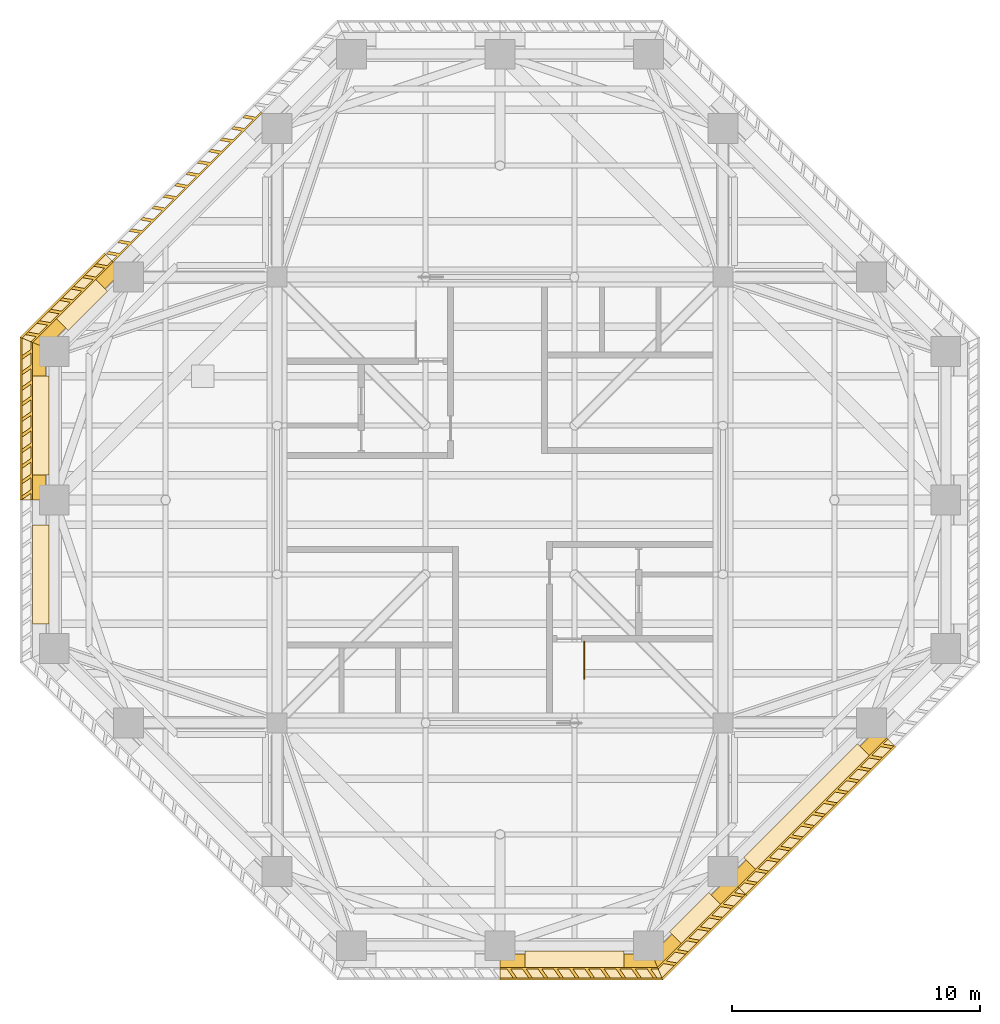
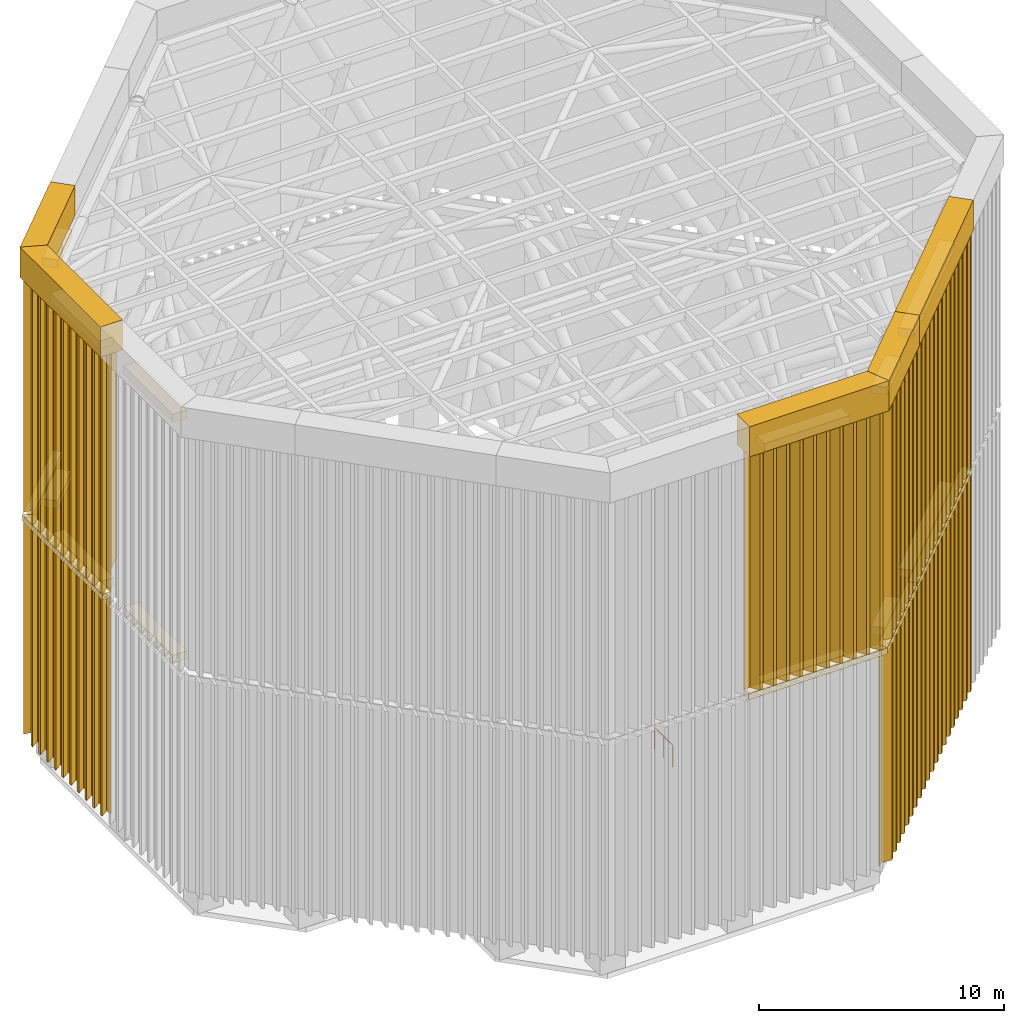
# One storey, part 6 of 8: 32 coverings, 1 railing.
"""IFC4 building model written with IfcOpenShell, lengths in metres."""

from ifc_helpers import new_model, si_unit, direction, frame, origin, origin_2d, place, context, subcontext, project, spatial, polyline, circle, outline, extrude, material, layer, layer_set, constituent, constituent_set, type_object, element, save


model = new_model("IFC4")

# Units and contexts
model_context = context("Model", 3, precision=1e-05, world=origin(), true_north=direction((0.0, 1.0)))
body_context = subcontext(model_context, "Body", "Model", "MODEL_VIEW")
ifc_project = project(units=[si_unit("LENGTHUNIT", "METRE"), si_unit("AREAUNIT", "SQUARE_METRE"), si_unit("VOLUMEUNIT", "CUBIC_METRE"), si_unit("PLANEANGLEUNIT", "RADIAN"), si_unit("MASSUNIT", "GRAM", prefix="KILO")], contexts=[model_context])

# Site, building, storey
site_placement = place(None, origin())
site = spatial("IfcSite", under=ifc_project, at=site_placement, CompositionType="ELEMENT")
building_placement = place(site_placement, origin())
building = spatial("IfcBuilding", under=site, at=building_placement, Name="Torre Cruceta", CompositionType="ELEMENT")
storey_placement = place(building_placement, frame((0.0, 0.0, 293.300048828125)))
storey = spatial("IfcBuildingStorey", under=building, at=storey_placement, Name="RF", CompositionType="ELEMENT", Elevation=293.300048828125)

# Coverings
ifc_material_1 = material(Name="Glass-fibre reinforced concrete", Category="concrete")
ifc_constituent_1 = constituent(ifc_material_1, Name="Panel")
ifc_material_2 = material(Name="Steel S275", Category="steel")
ifc_constituent_2 = constituent(ifc_material_2, Name="Subframe")
ifc_material_3 = material(Name="Hot-dip galvanising", Category="zinc")
ifc_constituent_3 = constituent(ifc_material_3, Name="Subframe coating")
ifc_constituent_set_1 = constituent_set(constituents=[ifc_constituent_1, ifc_constituent_2, ifc_constituent_3], Name="GFRC panel on a galvanised steel subframe")
covering_type_1 = type_object("IfcCoveringType", Name="CROWN CAP FASCIA GFRC 1500", PredefinedType="CLADDING", material=ifc_constituent_set_1)
covering_1_placement = place(storey_placement, frame((0.0, 0.0, 24.0)))
element("IfcCovering", 1, at=covering_1_placement, inside=storey, type_object=covering_type_1, Name="Crown cap fascia FC1 05", PredefinedType="CLADDING", context=body_context, shape_type="SweptSolid", body=[
    extrude(outline(polyline([(0.0, -19.3798828125), (6.571533203125, -19.3798828125), (6.140869140625, -18.340087890625), (0.0, -18.340087890625), (0.0, -19.3798828125)])), origin(), (0.0, 0.0, 1.0), 1.5),
])
covering_2_placement = place(storey_placement, frame((0.0, 0.0, 24.0)))
element("IfcCovering", 2, at=covering_2_placement, inside=storey, type_object=covering_type_1, Name="Crown cap fascia FC1 06", PredefinedType="CLADDING", context=body_context, shape_type="SweptSolid", body=[
    extrude(outline(polyline([(6.571533203125, -19.3798828125), (9.975830078125, -15.975830078125), (9.240478515625, -15.240478515625), (6.140869140625, -18.340087890625), (6.571533203125, -19.3798828125)])), origin(), (0.0, 0.0, 1.0), 1.5),
])
covering_3_placement = place(storey_placement, frame((0.0, 0.0, 24.0)))
element("IfcCovering", 3, at=covering_3_placement, inside=storey, type_object=covering_type_1, Name="Crown cap fascia FC1 07", PredefinedType="CLADDING", context=body_context, shape_type="SweptSolid", body=[
    extrude(outline(polyline([(9.975830078125, -15.975830078125), (15.975830078125, -9.975830078125), (15.240478515625, -9.240478515625), (9.240478515625, -15.240478515625), (9.975830078125, -15.975830078125)])), origin(), (0.0, 0.0, 1.0), 1.5),
])
covering_4_placement = place(storey_placement, frame((0.0, 0.0, 24.0)))
element("IfcCovering", 4, at=covering_4_placement, inside=storey, type_object=covering_type_1, Name="Crown cap fascia FC1 18", PredefinedType="CLADDING", context=body_context, shape_type="SweptSolid", body=[
    extrude(outline(polyline([(-15.975830078125, 9.975830078125), (-19.3798828125, 6.571533203125), (-18.340087890625, 6.140869140625), (-15.240478515625, 9.240478515625), (-15.975830078125, 9.975830078125)])), origin(), (0.0, 0.0, 1.0), 1.5),
])
covering_5_placement = place(storey_placement, frame((0.0, 0.0, 24.0)))
element("IfcCovering", 5, at=covering_5_placement, inside=storey, type_object=covering_type_1, Name="Crown cap fascia FC1 19", PredefinedType="CLADDING", context=body_context, shape_type="SweptSolid", body=[
    extrude(outline(polyline([(-19.3798828125, 6.571533203125), (-19.3798828125, 0.0), (-18.340087890625, 0.0), (-18.340087890625, 6.140869140625), (-19.3798828125, 6.571533203125)])), origin(), (0.0, 0.0, 1.0), 1.5),
])
ifc_material_4 = material(Name="Glass-fibre reinforced concrete", Category="concrete")
ifc_constituent_4 = constituent(ifc_material_4, Name="Panel")
ifc_material_5 = material(Name="Steel S275", Category="steel")
ifc_constituent_5 = constituent(ifc_material_5, Name="Subframe")
ifc_material_6 = material(Name="Hot-dip galvanising", Category="zinc")
ifc_constituent_6 = constituent(ifc_material_6, Name="Subframe coating")
ifc_constituent_set_2 = constituent_set(constituents=[ifc_constituent_4, ifc_constituent_5, ifc_constituent_6], Name="GFRC panel on a galvanised steel subframe")
covering_type_2 = type_object("IfcCoveringType", Name="CROWN SCREEN JOINT BAND GFRC 300", PredefinedType="CLADDING", material=ifc_constituent_set_2)
covering_6_placement = place(storey_placement, frame((0.0, 0.0, 11.849853515625)))
element("IfcCovering", 6, at=covering_6_placement, inside=storey, type_object=covering_type_2, Name="Crown screen joint band SJ1 05", PredefinedType="CLADDING", context=body_context, shape_type="SweptSolid", body=[
    extrude(outline(polyline([(0.0, -19.298583984375), (6.537841796875, -19.298583984375), (6.3603515625, -18.8701171875), (0.0, -18.8701171875), (0.0, -19.298583984375)])), origin(), (0.0, 0.0, 1.0), 0.300048828125),
])
covering_7_placement = place(storey_placement, frame((0.0, 0.0, 11.849853515625)))
element("IfcCovering", 7, at=covering_7_placement, inside=storey, type_object=covering_type_2, Name="Crown screen joint band SJ1 06", PredefinedType="CLADDING", context=body_context, shape_type="SweptSolid", body=[
    extrude(outline(polyline([(6.537841796875, -19.298583984375), (9.918212890625, -15.918212890625), (9.615234375, -15.615234375), (6.3603515625, -18.8701171875), (6.537841796875, -19.298583984375)])), origin(), (0.0, 0.0, 1.0), 0.300048828125),
])
covering_8_placement = place(storey_placement, frame((0.0, 0.0, 11.849853515625)))
element("IfcCovering", 8, at=covering_8_placement, inside=storey, type_object=covering_type_2, Name="Crown screen joint band SJ1 07", PredefinedType="CLADDING", context=body_context, shape_type="SweptSolid", body=[
    extrude(outline(polyline([(9.918212890625, -15.918212890625), (15.918212890625, -9.918212890625), (15.615234375, -9.615234375), (9.615234375, -15.615234375), (9.918212890625, -15.918212890625)])), origin(), (0.0, 0.0, 1.0), 0.300048828125),
])
covering_9_placement = place(storey_placement, frame((0.0, 0.0, 11.849853515625)))
element("IfcCovering", 9, at=covering_9_placement, inside=storey, type_object=covering_type_2, Name="Crown screen joint band SJ1 18", PredefinedType="CLADDING", context=body_context, shape_type="SweptSolid", body=[
    extrude(outline(polyline([(-15.918212890625, 9.918212890625), (-19.298583984375, 6.537841796875), (-18.8701171875, 6.3603515625), (-15.615234375, 9.615234375), (-15.918212890625, 9.918212890625)])), origin(), (0.0, 0.0, 1.0), 0.300048828125),
])
covering_10_placement = place(storey_placement, frame((0.0, 0.0, 11.849853515625)))
element("IfcCovering", 10, at=covering_10_placement, inside=storey, type_object=covering_type_2, Name="Crown screen joint band SJ1 19", PredefinedType="CLADDING", context=body_context, shape_type="SweptSolid", body=[
    extrude(outline(polyline([(-19.298583984375, 6.537841796875), (-19.298583984375, 0.0), (-18.8701171875, 0.0), (-18.8701171875, 6.3603515625), (-19.298583984375, 6.537841796875)])), origin(), (0.0, 0.0, 1.0), 0.300048828125),
])
ifc_material_7 = material(Name="Glass-fibre reinforced concrete", Category="concrete")
ifc_constituent_7 = constituent(ifc_material_7, Name="Panel")
ifc_material_8 = material(Name="Steel S275", Category="steel")
ifc_constituent_8 = constituent(ifc_material_8, Name="Subframe")
ifc_material_9 = material(Name="Hot-dip galvanising", Category="zinc")
ifc_constituent_9 = constituent(ifc_material_9, Name="Subframe coating")
ifc_constituent_set_3 = constituent_set(constituents=[ifc_constituent_7, ifc_constituent_8, ifc_constituent_9], Name="GFRC panel on a galvanised steel subframe")
covering_type_3 = type_object("IfcCoveringType", Name="CROWN SCREEN PANEL GFRC FINS 450 TIER 1", PredefinedType="CLADDING", material=ifc_constituent_set_3)
covering_11_placement = place(storey_placement, frame((0.0, 0.0, 1.099853515625)))
element("IfcCovering", 11, at=covering_11_placement, inside=storey, type_object=covering_type_3, Name="Crown screen panel SC1 06", PredefinedType="CLADDING", context=body_context, shape_type="SweptSolid", body=[
    extrude(outline(polyline([(7.145263671875, -18.69140625), (6.70263671875, -18.61279296875), (7.05908203125, -18.25634765625), (7.501708984375, -18.3349609375), (7.605224609375, -18.231201171875), (7.16259765625, -18.152587890625), (7.518798828125, -17.79638671875), (7.961669921875, -17.875), (8.065185546875, -17.771240234375), (7.62255859375, -17.692626953125), (7.97900390625, -17.336181640625), (8.421630859375, -17.4150390625), (8.525146484375, -17.311279296875), (8.08251953125, -17.232666015625), (8.43896484375, -16.876220703125), (8.881591796875, -16.955078125), (8.985107421875, -16.851318359375), (8.54248046875, -16.772705078125), (8.898681640625, -16.41650390625), (9.341552734375, -16.4951171875), (9.445068359375, -16.391357421875), (9.00244140625, -16.312744140625), (9.35888671875, -15.956298828125), (9.801513671875, -16.034912109375), (9.905029296875, -15.931396484375), (9.46240234375, -15.852783203125), (9.65771484375, -15.65771484375), (9.615234375, -15.615234375), (6.3603515625, -18.8701171875), (6.38525390625, -18.929931640625), (6.59912109375, -18.71630859375), (7.04150390625, -18.794921875), (7.145263671875, -18.69140625)])), origin(), (0.0, 0.0, 1.0), 10.75),
])
covering_12_placement = place(storey_placement, frame((0.0, 0.0, 1.099853515625)))
element("IfcCovering", 12, at=covering_12_placement, inside=storey, type_object=covering_type_3, Name="Crown screen panel SC1 07", PredefinedType="CLADDING", context=body_context, shape_type="SweptSolid", body=[
    extrude(outline(polyline([(10.400146484375, -15.4365234375), (9.95751953125, -15.35791015625), (10.3125, -15.002685546875), (10.755126953125, -15.081298828125), (10.85888671875, -14.977783203125), (10.416015625, -14.899169921875), (10.771240234375, -14.5439453125), (11.214111328125, -14.62255859375), (11.317626953125, -14.51904296875), (10.875, -14.440185546875), (11.22998046875, -14.085205078125), (11.672607421875, -14.163818359375), (11.7763671875, -14.060302734375), (11.33349609375, -13.981689453125), (11.688720703125, -13.62646484375), (12.131591796875, -13.705078125), (12.235107421875, -13.6015625), (11.79248046875, -13.522705078125), (12.147705078125, -13.167724609375), (12.590087890625, -13.246337890625), (12.69384765625, -13.142578125), (12.251220703125, -13.064208984375), (12.606201171875, -12.708984375), (13.049072265625, -12.78759765625), (13.152587890625, -12.68408203125), (12.7099609375, -12.605224609375), (13.065185546875, -12.250244140625), (13.5078125, -12.328857421875), (13.611328125, -12.22509765625), (13.168701171875, -12.146484375), (13.523681640625, -11.79150390625), (13.966552734375, -11.8701171875), (14.070068359375, -11.7666015625), (13.62744140625, -11.687744140625), (13.982666015625, -11.332763671875), (14.42529296875, -11.411376953125), (14.52880859375, -11.3076171875), (14.086181640625, -11.22900390625), (14.44140625, -10.873779296875), (14.884033203125, -10.952392578125), (14.987548828125, -10.848876953125), (14.544921875, -10.770263671875), (14.900146484375, -10.4150390625), (15.3427734375, -10.493896484375), (15.4462890625, -10.39013671875), (15.003662109375, -10.3115234375), (15.35888671875, -9.956298828125), (15.801513671875, -10.034912109375), (15.905029296875, -9.931396484375), (15.46240234375, -9.852783203125), (15.65771484375, -9.65771484375), (15.615234375, -9.615234375), (9.615234375, -15.615234375), (9.65771484375, -15.65771484375), (9.853759765625, -15.46142578125), (10.29638671875, -15.5400390625), (10.400146484375, -15.4365234375)])), origin(), (0.0, 0.0, 1.0), 10.75),
])
covering_13_placement = place(storey_placement, frame((0.0, 0.0, 1.099853515625)))
element("IfcCovering", 13, at=covering_13_placement, inside=storey, type_object=covering_type_3, Name="Crown screen panel SC1 17", PredefinedType="CLADDING", context=body_context, shape_type="SweptSolid", body=[
    extrude(outline(polyline([(-15.905029296875, 9.931396484375), (-15.46240234375, 9.852783203125), (-15.65771484375, 9.65771484375), (-15.615234375, 9.615234375), (-9.615234375, 15.615234375), (-9.65771484375, 15.65771484375), (-9.853759765625, 15.46142578125), (-10.29638671875, 15.5400390625), (-10.400146484375, 15.4365234375), (-9.95751953125, 15.35791015625), (-10.3125, 15.002685546875), (-10.755126953125, 15.081298828125), (-10.85888671875, 14.977783203125), (-10.416015625, 14.899169921875), (-10.771240234375, 14.5439453125), (-11.214111328125, 14.62255859375), (-11.317626953125, 14.51904296875), (-10.875, 14.440185546875), (-11.22998046875, 14.085205078125), (-11.672607421875, 14.163818359375), (-11.7763671875, 14.060302734375), (-11.33349609375, 13.981689453125), (-11.688720703125, 13.62646484375), (-12.131591796875, 13.705078125), (-12.235107421875, 13.6015625), (-11.79248046875, 13.522705078125), (-12.147705078125, 13.167724609375), (-12.590087890625, 13.246337890625), (-12.69384765625, 13.142578125), (-12.251220703125, 13.064208984375), (-12.606201171875, 12.708984375), (-13.049072265625, 12.78759765625), (-13.152587890625, 12.68408203125), (-12.7099609375, 12.605224609375), (-13.065185546875, 12.250244140625), (-13.5078125, 12.328857421875), (-13.611328125, 12.22509765625), (-13.168701171875, 12.146484375), (-13.523681640625, 11.79150390625), (-13.966552734375, 11.8701171875), (-14.070068359375, 11.7666015625), (-13.62744140625, 11.687744140625), (-13.982666015625, 11.332763671875), (-14.42529296875, 11.411376953125), (-14.52880859375, 11.3076171875), (-14.086181640625, 11.22900390625), (-14.44140625, 10.873779296875), (-14.884033203125, 10.952392578125), (-14.987548828125, 10.848876953125), (-14.544921875, 10.770263671875), (-14.900146484375, 10.4150390625), (-15.3427734375, 10.493896484375), (-15.4462890625, 10.39013671875), (-15.003662109375, 10.3115234375), (-15.35888671875, 9.956298828125), (-15.801513671875, 10.034912109375), (-15.905029296875, 9.931396484375)])), origin(), (0.0, 0.0, 1.0), 10.75),
])
covering_14_placement = place(storey_placement, frame((0.0, 0.0, 1.099853515625)))
element("IfcCovering", 14, at=covering_14_placement, inside=storey, type_object=covering_type_3, Name="Crown screen panel SC1 18", PredefinedType="CLADDING", context=body_context, shape_type="SweptSolid", body=[
    extrude(outline(polyline([(-19.159912109375, 6.676513671875), (-18.71728515625, 6.597900390625), (-18.929931640625, 6.38525390625), (-18.8701171875, 6.3603515625), (-15.615234375, 9.615234375), (-15.65771484375, 9.65771484375), (-15.853759765625, 9.46142578125), (-16.29638671875, 9.5400390625), (-16.400146484375, 9.4365234375), (-15.95751953125, 9.35791015625), (-16.313720703125, 9.00146484375), (-16.75634765625, 9.080078125), (-16.860107421875, 8.9765625), (-16.41748046875, 8.89794921875), (-16.773681640625, 8.54150390625), (-17.21630859375, 8.6201171875), (-17.320068359375, 8.5166015625), (-16.877197265625, 8.43798828125), (-17.233642578125, 8.08154296875), (-17.676513671875, 8.16015625), (-17.780029296875, 8.056396484375), (-17.33740234375, 7.977783203125), (-17.693603515625, 7.62158203125), (-18.136474609375, 7.7001953125), (-18.239990234375, 7.5966796875), (-17.79736328125, 7.517822265625), (-18.15380859375, 7.16162109375), (-18.59619140625, 7.240234375), (-18.699951171875, 7.13671875), (-18.25732421875, 7.05810546875), (-18.613525390625, 6.70166015625), (-19.056396484375, 6.7802734375), (-19.159912109375, 6.676513671875)])), origin(), (0.0, 0.0, 1.0), 10.75),
])
covering_15_placement = place(storey_placement, frame((0.0, 0.0, 1.099853515625)))
element("IfcCovering", 15, at=covering_15_placement, inside=storey, type_object=covering_type_3, Name="Crown screen panel SC1 19", PredefinedType="CLADDING", context=body_context, shape_type="SweptSolid", body=[
    extrude(outline(polyline([(-19.298583984375, 2.534423828125), (-18.929931640625, 2.791748046875), (-18.929931640625, 2.309326171875), (-19.298583984375, 2.052001953125), (-19.298583984375, 1.905517578125), (-18.929931640625, 2.162841796875), (-18.929931640625, 1.680419921875), (-19.298583984375, 1.423095703125), (-19.298583984375, 1.276611328125), (-18.929931640625, 1.533935546875), (-18.929931640625, 1.051513671875), (-19.298583984375, 0.794189453125), (-19.298583984375, 0.647705078125), (-18.929931640625, 0.905029296875), (-18.929931640625, 0.422607421875), (-19.298583984375, 0.1650390625), (-19.298583984375, 0.0185546875), (-18.929931640625, 0.276123046875), (-18.929931640625, 0.0), (-18.8701171875, 0.0), (-18.8701171875, 6.3603515625), (-18.929931640625, 6.38525390625), (-18.929931640625, 6.0830078125), (-19.298583984375, 5.825439453125), (-19.298583984375, 5.678955078125), (-18.929931640625, 5.936279296875), (-18.929931640625, 5.4541015625), (-19.298583984375, 5.196533203125), (-19.298583984375, 5.050048828125), (-18.929931640625, 5.3076171875), (-18.929931640625, 4.8251953125), (-19.298583984375, 4.567626953125), (-19.298583984375, 4.421142578125), (-18.929931640625, 4.6787109375), (-18.929931640625, 4.196044921875), (-19.298583984375, 3.938720703125), (-19.298583984375, 3.792236328125), (-18.929931640625, 4.049560546875), (-18.929931640625, 3.567138671875), (-19.298583984375, 3.309814453125), (-19.298583984375, 3.163330078125), (-18.929931640625, 3.420654296875), (-18.929931640625, 2.938232421875), (-19.298583984375, 2.680908203125), (-19.298583984375, 2.534423828125)])), origin(), (0.0, 0.0, 1.0), 10.75),
])
ifc_material_10 = material(Name="Glass-fibre reinforced concrete", Category="concrete")
ifc_constituent_10 = constituent(ifc_material_10, Name="Panel")
ifc_material_11 = material(Name="Steel S275", Category="steel")
ifc_constituent_11 = constituent(ifc_material_11, Name="Subframe")
ifc_material_12 = material(Name="Hot-dip galvanising", Category="zinc")
ifc_constituent_12 = constituent(ifc_material_12, Name="Subframe coating")
ifc_constituent_set_4 = constituent_set(constituents=[ifc_constituent_10, ifc_constituent_11, ifc_constituent_12], Name="GFRC panel on a galvanised steel subframe")
covering_type_4 = type_object("IfcCoveringType", Name="CROWN SCREEN PANEL GFRC FINS 450 TIER 2", PredefinedType="CLADDING", material=ifc_constituent_set_4)
covering_16_placement = place(storey_placement, frame((0.0, 0.0, 12.14990234375)))
element("IfcCovering", 16, at=covering_16_placement, inside=storey, type_object=covering_type_4, Name="Crown screen panel SC2 05", PredefinedType="CLADDING", context=body_context, shape_type="SweptSolid", body=[
    extrude(outline(polyline([(0.681396484375, -19.298583984375), (0.423828125, -18.929931640625), (0.906494140625, -18.929931640625), (1.163818359375, -19.298583984375), (1.310302734375, -19.298583984375), (1.052978515625, -18.929931640625), (1.535400390625, -18.929931640625), (1.792724609375, -19.298583984375), (1.939208984375, -19.298583984375), (1.681884765625, -18.929931640625), (2.164306640625, -18.929931640625), (2.421630859375, -19.298583984375), (2.568115234375, -19.298583984375), (2.310791015625, -18.929931640625), (2.793212890625, -18.929931640625), (3.050537109375, -19.298583984375), (3.197021484375, -19.298583984375), (2.939697265625, -18.929931640625), (3.422119140625, -18.929931640625), (3.679443359375, -19.298583984375), (3.825927734375, -19.298583984375), (3.568603515625, -18.929931640625), (4.051025390625, -18.929931640625), (4.308349609375, -19.298583984375), (4.454833984375, -19.298583984375), (4.197509765625, -18.929931640625), (4.679931640625, -18.929931640625), (4.9375, -19.298583984375), (5.083984375, -19.298583984375), (4.826416015625, -18.929931640625), (5.308837890625, -18.929931640625), (5.56640625, -19.298583984375), (5.712890625, -19.298583984375), (5.455322265625, -18.929931640625), (5.937744140625, -18.929931640625), (6.1953125, -19.298583984375), (6.341796875, -19.298583984375), (6.084228515625, -18.929931640625), (6.38525390625, -18.929931640625), (6.3603515625, -18.8701171875), (0.0, -18.8701171875), (0.0, -18.929931640625), (0.277587890625, -18.929931640625), (0.534912109375, -19.298583984375), (0.681396484375, -19.298583984375)])), origin(), (0.0, 0.0, 1.0), 11.85009765625),
])
covering_17_placement = place(storey_placement, frame((0.0, 0.0, 12.14990234375)))
element("IfcCovering", 17, at=covering_17_placement, inside=storey, type_object=covering_type_4, Name="Crown screen panel SC2 06", PredefinedType="CLADDING", context=body_context, shape_type="SweptSolid", body=[
    extrude(outline(polyline([(7.145263671875, -18.69140625), (6.70263671875, -18.61279296875), (7.05908203125, -18.25634765625), (7.501708984375, -18.3349609375), (7.605224609375, -18.231201171875), (7.16259765625, -18.152587890625), (7.518798828125, -17.79638671875), (7.961669921875, -17.875), (8.065185546875, -17.771240234375), (7.62255859375, -17.692626953125), (7.97900390625, -17.336181640625), (8.421630859375, -17.4150390625), (8.525146484375, -17.311279296875), (8.08251953125, -17.232666015625), (8.43896484375, -16.876220703125), (8.881591796875, -16.955078125), (8.985107421875, -16.851318359375), (8.54248046875, -16.772705078125), (8.898681640625, -16.41650390625), (9.341552734375, -16.4951171875), (9.445068359375, -16.391357421875), (9.00244140625, -16.312744140625), (9.35888671875, -15.956298828125), (9.801513671875, -16.034912109375), (9.905029296875, -15.931396484375), (9.46240234375, -15.852783203125), (9.65771484375, -15.65771484375), (9.615234375, -15.615234375), (6.3603515625, -18.8701171875), (6.38525390625, -18.929931640625), (6.59912109375, -18.71630859375), (7.04150390625, -18.794921875), (7.145263671875, -18.69140625)])), origin(), (0.0, 0.0, 1.0), 11.85009765625),
])
covering_18_placement = place(storey_placement, frame((0.0, 0.0, 12.14990234375)))
element("IfcCovering", 18, at=covering_18_placement, inside=storey, type_object=covering_type_4, Name="Crown screen panel SC2 07", PredefinedType="CLADDING", context=body_context, shape_type="SweptSolid", body=[
    extrude(outline(polyline([(10.400146484375, -15.4365234375), (9.95751953125, -15.35791015625), (10.3125, -15.002685546875), (10.755126953125, -15.081298828125), (10.85888671875, -14.977783203125), (10.416015625, -14.899169921875), (10.771240234375, -14.5439453125), (11.214111328125, -14.62255859375), (11.317626953125, -14.51904296875), (10.875, -14.440185546875), (11.22998046875, -14.085205078125), (11.672607421875, -14.163818359375), (11.7763671875, -14.060302734375), (11.33349609375, -13.981689453125), (11.688720703125, -13.62646484375), (12.131591796875, -13.705078125), (12.235107421875, -13.6015625), (11.79248046875, -13.522705078125), (12.147705078125, -13.167724609375), (12.590087890625, -13.246337890625), (12.69384765625, -13.142578125), (12.251220703125, -13.064208984375), (12.606201171875, -12.708984375), (13.049072265625, -12.78759765625), (13.152587890625, -12.68408203125), (12.7099609375, -12.605224609375), (13.065185546875, -12.250244140625), (13.5078125, -12.328857421875), (13.611328125, -12.22509765625), (13.168701171875, -12.146484375), (13.523681640625, -11.79150390625), (13.966552734375, -11.8701171875), (14.070068359375, -11.7666015625), (13.62744140625, -11.687744140625), (13.982666015625, -11.332763671875), (14.42529296875, -11.411376953125), (14.52880859375, -11.3076171875), (14.086181640625, -11.22900390625), (14.44140625, -10.873779296875), (14.884033203125, -10.952392578125), (14.987548828125, -10.848876953125), (14.544921875, -10.770263671875), (14.900146484375, -10.4150390625), (15.3427734375, -10.493896484375), (15.4462890625, -10.39013671875), (15.003662109375, -10.3115234375), (15.35888671875, -9.956298828125), (15.801513671875, -10.034912109375), (15.905029296875, -9.931396484375), (15.46240234375, -9.852783203125), (15.65771484375, -9.65771484375), (15.615234375, -9.615234375), (9.615234375, -15.615234375), (9.65771484375, -15.65771484375), (9.853759765625, -15.46142578125), (10.29638671875, -15.5400390625), (10.400146484375, -15.4365234375)])), origin(), (0.0, 0.0, 1.0), 11.85009765625),
])
covering_19_placement = place(storey_placement, frame((0.0, 0.0, 12.14990234375)))
element("IfcCovering", 19, at=covering_19_placement, inside=storey, type_object=covering_type_4, Name="Crown screen panel SC2 18", PredefinedType="CLADDING", context=body_context, shape_type="SweptSolid", body=[
    extrude(outline(polyline([(-19.159912109375, 6.676513671875), (-18.71728515625, 6.597900390625), (-18.929931640625, 6.38525390625), (-18.8701171875, 6.3603515625), (-15.615234375, 9.615234375), (-15.65771484375, 9.65771484375), (-15.853759765625, 9.46142578125), (-16.29638671875, 9.5400390625), (-16.400146484375, 9.4365234375), (-15.95751953125, 9.35791015625), (-16.313720703125, 9.00146484375), (-16.75634765625, 9.080078125), (-16.860107421875, 8.9765625), (-16.41748046875, 8.89794921875), (-16.773681640625, 8.54150390625), (-17.21630859375, 8.6201171875), (-17.320068359375, 8.5166015625), (-16.877197265625, 8.43798828125), (-17.233642578125, 8.08154296875), (-17.676513671875, 8.16015625), (-17.780029296875, 8.056396484375), (-17.33740234375, 7.977783203125), (-17.693603515625, 7.62158203125), (-18.136474609375, 7.7001953125), (-18.239990234375, 7.5966796875), (-17.79736328125, 7.517822265625), (-18.15380859375, 7.16162109375), (-18.59619140625, 7.240234375), (-18.699951171875, 7.13671875), (-18.25732421875, 7.05810546875), (-18.613525390625, 6.70166015625), (-19.056396484375, 6.7802734375), (-19.159912109375, 6.676513671875)])), origin(), (0.0, 0.0, 1.0), 11.85009765625),
])
covering_20_placement = place(storey_placement, frame((0.0, 0.0, 12.14990234375)))
element("IfcCovering", 20, at=covering_20_placement, inside=storey, type_object=covering_type_4, Name="Crown screen panel SC2 19", PredefinedType="CLADDING", context=body_context, shape_type="SweptSolid", body=[
    extrude(outline(polyline([(-19.298583984375, 2.534423828125), (-18.929931640625, 2.791748046875), (-18.929931640625, 2.309326171875), (-19.298583984375, 2.052001953125), (-19.298583984375, 1.905517578125), (-18.929931640625, 2.162841796875), (-18.929931640625, 1.680419921875), (-19.298583984375, 1.423095703125), (-19.298583984375, 1.276611328125), (-18.929931640625, 1.533935546875), (-18.929931640625, 1.051513671875), (-19.298583984375, 0.794189453125), (-19.298583984375, 0.647705078125), (-18.929931640625, 0.905029296875), (-18.929931640625, 0.422607421875), (-19.298583984375, 0.1650390625), (-19.298583984375, 0.0185546875), (-18.929931640625, 0.276123046875), (-18.929931640625, 0.0), (-18.8701171875, 0.0), (-18.8701171875, 6.3603515625), (-18.929931640625, 6.38525390625), (-18.929931640625, 6.0830078125), (-19.298583984375, 5.825439453125), (-19.298583984375, 5.678955078125), (-18.929931640625, 5.936279296875), (-18.929931640625, 5.4541015625), (-19.298583984375, 5.196533203125), (-19.298583984375, 5.050048828125), (-18.929931640625, 5.3076171875), (-18.929931640625, 4.8251953125), (-19.298583984375, 4.567626953125), (-19.298583984375, 4.421142578125), (-18.929931640625, 4.6787109375), (-18.929931640625, 4.196044921875), (-19.298583984375, 3.938720703125), (-19.298583984375, 3.792236328125), (-18.929931640625, 4.049560546875), (-18.929931640625, 3.567138671875), (-19.298583984375, 3.309814453125), (-19.298583984375, 3.163330078125), (-18.929931640625, 3.420654296875), (-18.929931640625, 2.938232421875), (-19.298583984375, 2.680908203125), (-19.298583984375, 2.534423828125)])), origin(), (0.0, 0.0, 1.0), 11.85009765625),
])
ifc_material_13 = material(Name="Steel S275", Category="steel")
ifc_layer = layer(ifc_material_13, 0.669921875)
ifc_layer_set = layer_set([ifc_layer], Name="Steel S275")
covering_type_5 = type_object("IfcCoveringType", Name="CROWN SCREEN SUPPORT RAIL GALVANISED STEEL", PredefinedType="CLADDING", material=ifc_layer_set)
for number, where, name in (
    (21, (0.0, 0.0, 11.599853515625), "Crown screen support rail SR1 1-05"),
    (22, (0.0, 0.0, 23.599853515625), "Crown screen support rail SR1 2-05"),
):
    element("IfcCovering", number, at=place(storey_placement, frame(where)), inside=storey, type_object=covering_type_5, Name=name, PredefinedType="CLADDING", context=body_context, shape_type="SweptSolid", body=[
        extrude(outline(polyline([(1.0, -18.8701171875), (5.0, -18.8701171875), (5.0, -18.200439453125), (1.0, -18.200439453125), (1.0, -18.8701171875)])), origin(), (0.0, 0.0, 1.0), 0.400146484375),
    ])
for number, where, name in (
    (23, (0.0, 0.0, 11.599853515625), "Crown screen support rail SR1 1-06"),
    (24, (0.0, 0.0, 23.599853515625), "Crown screen support rail SR1 2-06"),
):
    element("IfcCovering", number, at=place(storey_placement, frame(where)), inside=storey, type_object=covering_type_5, Name=name, PredefinedType="CLADDING", context=body_context, shape_type="SweptSolid", body=[
        extrude(outline(polyline([(7.322265625, -17.908203125), (8.908203125, -16.322265625), (8.434814453125, -15.848876953125), (6.848876953125, -17.434814453125), (7.322265625, -17.908203125)])), origin(), (0.0, 0.0, 1.0), 0.400146484375),
    ])
for number, where, name in (
    (25, (0.0, 0.0, 11.599853515625), "Crown screen support rail SR1 1-07"),
    (26, (0.0, 0.0, 23.599853515625), "Crown screen support rail SR1 2-07"),
):
    element("IfcCovering", number, at=place(storey_placement, frame(where)), inside=storey, type_object=covering_type_5, Name=name, PredefinedType="CLADDING", context=body_context, shape_type="SweptSolid", body=[
        extrude(outline(polyline([(10.322265625, -14.908203125), (14.908203125, -10.322265625), (14.434814453125, -9.848876953125), (9.848876953125, -14.434814453125), (10.322265625, -14.908203125)])), origin(), (0.0, 0.0, 1.0), 0.400146484375),
    ])
for number, where, name in (
    (27, (0.0, 0.0, 11.599853515625), "Crown screen support rail SR1 1-18"),
    (28, (0.0, 0.0, 23.599853515625), "Crown screen support rail SR1 2-18"),
):
    element("IfcCovering", number, at=place(storey_placement, frame(where)), inside=storey, type_object=covering_type_5, Name=name, PredefinedType="CLADDING", context=body_context, shape_type="SweptSolid", body=[
        extrude(outline(polyline([(-16.322265625, 8.908203125), (-17.908203125, 7.322265625), (-17.434814453125, 6.848876953125), (-15.848876953125, 8.434814453125), (-16.322265625, 8.908203125)])), origin(), (0.0, 0.0, 1.0), 0.400146484375),
    ])
for number, where, name in (
    (29, (0.0, 0.0, 11.599853515625), "Crown screen support rail SR1 1-19"),
    (30, (0.0, 0.0, 23.599853515625), "Crown screen support rail SR1 2-19"),
):
    element("IfcCovering", number, at=place(storey_placement, frame(where)), inside=storey, type_object=covering_type_5, Name=name, PredefinedType="CLADDING", context=body_context, shape_type="SweptSolid", body=[
        extrude(outline(polyline([(-18.8701171875, 5.0), (-18.8701171875, 1.0), (-18.200439453125, 1.0), (-18.200439453125, 5.0), (-18.8701171875, 5.0)])), origin(), (0.0, 0.0, 1.0), 0.400146484375),
    ])
for number, where, name in (
    (31, (0.0, 0.0, 11.599853515625), "Crown screen support rail SR1 1-20"),
    (32, (0.0, 0.0, 23.599853515625), "Crown screen support rail SR1 2-20"),
):
    element("IfcCovering", number, at=place(storey_placement, frame(where)), inside=storey, type_object=covering_type_5, Name=name, PredefinedType="CLADDING", context=body_context, shape_type="SweptSolid", body=[
        extrude(outline(polyline([(-18.8701171875, -1.0), (-18.8701171875, -5.0), (-18.200439453125, -5.0), (-18.200439453125, -1.0), (-18.8701171875, -1.0)])), origin(), (0.0, 0.0, 1.0), 0.400146484375),
    ])

# Railing
ifc_material_14 = material(Name="Steel S275", Category="steel")
railing_type = type_object("IfcRailingType", Name="STAIR GUARD 1100", PredefinedType="GUARDRAIL", material=ifc_material_14)
railing_placement = place(storey_placement, frame((3.39990234375, -5.72509765625, 0.0)))
element("IfcRailing", 33, at=railing_placement, inside=storey, type_object=railing_type, Name="Stair guard GR2 ST2 roof", PredefinedType="GUARDRAIL", context=body_context, shape_type="SweptSolid", body=[
    extrude(circle(Radius=0.02392578125, at=origin_2d()), frame((0.0, 0.0, 1.076171875), z_axis=(0.0, -1.0, 0.0), x_axis=(1.0, 0.0, 0.0)), (0.0, 0.0, 1.0), 1.5),
    extrude(circle(Radius=0.02099609375, at=origin_2d()), origin(), (0.0, 0.0, 1.0), 1.052001953125),
    extrude(circle(Radius=0.02099609375, at=origin_2d()), frame((0.0, -0.75, 0.0)), (0.0, 0.0, 1.0), 1.052001953125),
    extrude(circle(Radius=0.02099609375, at=origin_2d()), frame((0.0, -1.5, 0.0)), (0.0, 0.0, 1.0), 1.052001953125),
])

save(model, "model.ifc")
